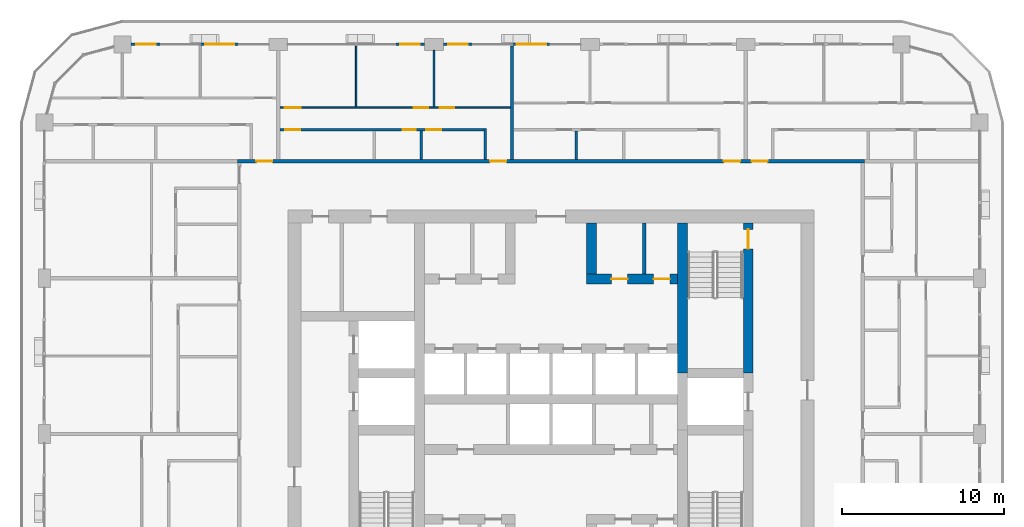
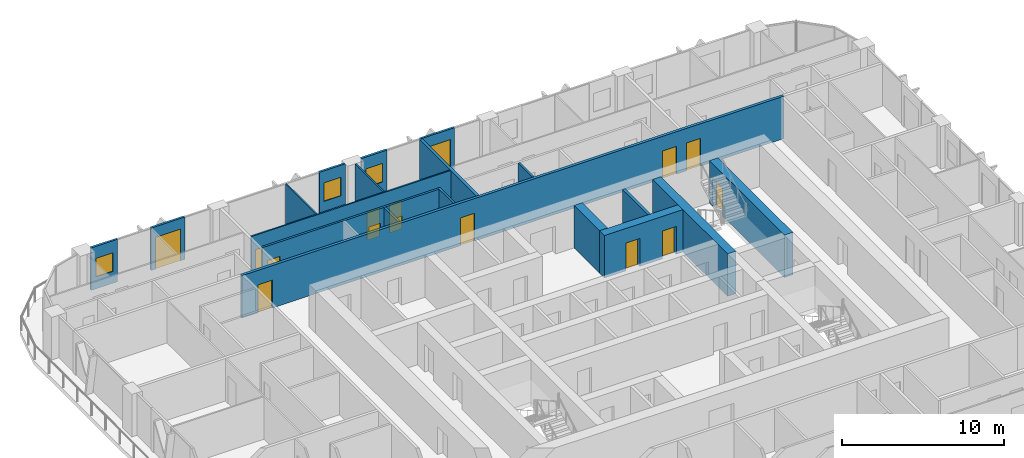
# One storey, part 14 of 22: 19 walls, 15 doors, 3 windows, 18 openings.
"""IFC4 building model written with IfcOpenShell, lengths in metres."""

import ifcopenshell
import ifcopenshell.guid

model = None  # the IFC model being written
_history = None  # IfcOwnerHistory: only IFC2X3 demands one
_inside = {}  # id of a spatial element -> (the spatial element, [elements in it])
_under = {}  # id of a project, library or spatial element -> (it, [spatial elements below it])
_declared = {}  # id of a project -> (the project, [libraries it declares])
_typed = {}  # id of a type object -> (the type object, [elements of that type])
_made_of = {}  # id of a material, layer set ... -> (it, [elements and type objects made of it])


def new_model(schema):
    """Start an empty IFC model of exactly this schema.

    Asked for "IFC4X3", IfcOpenShell would pick the latest addendum, in which some entities
    have other attributes; the version numbers below select the first issue.
    IFC2X3 requires an IfcOwnerHistory on every rooted entity: one is made here for all.
    """
    global model, _history
    if schema == "IFC4X3":
        model = ifcopenshell.file(schema_version=(4, 3, 0, 0))
    else:
        model = ifcopenshell.file(schema=schema)
    _inside.clear()
    _under.clear()
    _declared.clear()
    _typed.clear()
    _made_of.clear()
    _history = None
    if model.schema == "IFC2X3":
        org = make("IfcOrganization", Name="unknown")
        user = make(
            "IfcPersonAndOrganization",
            ThePerson=make("IfcPerson", FamilyName="unknown"),
            TheOrganization=org,
        )
        app = make(
            "IfcApplication",
            ApplicationDeveloper=org,
            Version="unknown",
            ApplicationFullName="unknown",
            ApplicationIdentifier="unknown",
        )
        _history = make(
            "IfcOwnerHistory",
            OwningUser=user,
            OwningApplication=app,
            ChangeAction="ADDED",
            CreationDate=0,
        )
    return model


def make(cls, **values):
    """One entity of the class cls with the attributes given. An attribute that is None is left unset."""
    return model.create_entity(
        cls, **{name: value for name, value in values.items() if value is not None}
    )


def rooted(cls, **values):
    """An entity with a GlobalId (a new one), such as an element, a storey or a relation."""
    return make(cls, GlobalId=ifcopenshell.guid.new(), OwnerHistory=_history, **values)


def si_unit(unit_type, name, prefix=None):
    """IfcSIUnit, for example si_unit("LENGTHUNIT", "METRE", prefix="MILLI")."""
    return make("IfcSIUnit", UnitType=unit_type, Prefix=prefix, Name=name)


def assignment(units):
    """IfcUnitAssignment: the units of a project."""
    return None if units is None else make("IfcUnitAssignment", Units=units)


def point(xyz):
    """IfcCartesianPoint."""
    return None if xyz is None else make("IfcCartesianPoint", Coordinates=xyz)


def direction(xyz):
    """IfcDirection."""
    return None if xyz is None else make("IfcDirection", DirectionRatios=xyz)


def frame(location, z_axis=None, x_axis=None):
    """IfcAxis2Placement3D, a coordinate frame: its origin and axes. An axis left out is left unset."""
    return make(
        "IfcAxis2Placement3D",
        Location=point(location),
        Axis=direction(z_axis),
        RefDirection=direction(x_axis),
    )


def frame_2d(location, x_axis=None):
    """IfcAxis2Placement2D, a coordinate frame in the plane: its origin and x axis."""
    return make(
        "IfcAxis2Placement2D", Location=point(location), RefDirection=direction(x_axis)
    )


def origin():
    """The frame at (0, 0, 0) with its axes left unset."""
    return frame((0.0, 0.0, 0.0))


def place(relative_to, where):
    """IfcLocalPlacement: puts the frame where relative to a parent placement (None: the world)."""
    return make(
        "IfcLocalPlacement", PlacementRelTo=relative_to, RelativePlacement=where
    )


def context(
    kind, dimensions, precision=None, world=None, true_north=None, identifier=None
):
    """IfcGeometricRepresentationContext, for example the 3D "Model" context."""
    return make(
        "IfcGeometricRepresentationContext",
        ContextIdentifier=identifier,
        ContextType=kind,
        CoordinateSpaceDimension=dimensions,
        Precision=precision,
        WorldCoordinateSystem=world,
        TrueNorth=true_north,
    )


def subcontext(parent, identifier, kind, view, scale=None):
    """IfcGeometricRepresentationSubContext, for example "Body" below "Model"."""
    return make(
        "IfcGeometricRepresentationSubContext",
        ContextIdentifier=identifier,
        ContextType=kind,
        ParentContext=parent,
        TargetScale=scale,
        TargetView=view,
    )


def project(units=None, contexts=None):
    """IfcProject with its units and contexts."""
    return rooted(
        "IfcProject",
        Name="project",
        RepresentationContexts=contexts,
        UnitsInContext=assignment(units),
    )


def spatial(cls, under=None, at=None, **own):
    """A site, building, storey or space (cls), placed at a placement, below another one or the project."""
    s = rooted(cls, ObjectPlacement=at, **own)
    if under is not None:
        _under.setdefault(under.id(), (under, []))[1].append(s)
    return s


def profile(cls, at=None, kind="AREA", **sizes):
    """A parametric profile (cls). Its sizes go by their IFC names, for example OverallWidth=200.0."""
    return make(cls, ProfileType=kind, Position=at, **sizes)


def rectangle(**sizes):
    """IfcRectangleProfileDef."""
    return profile("IfcRectangleProfileDef", **sizes)


def extrude(swept, where, along, depth):
    """IfcExtrudedAreaSolid: the profile swept, set in the frame where, extruded along a direction by depth."""
    return make(
        "IfcExtrudedAreaSolid",
        SweptArea=swept,
        Position=where,
        ExtrudedDirection=direction(along),
        Depth=depth,
    )


def shape(context_of_items, identifier, shape_type, items):
    """IfcShapeRepresentation: the items that make up one representation, for example the "Body"."""
    return make(
        "IfcShapeRepresentation",
        ContextOfItems=context_of_items,
        RepresentationIdentifier=identifier,
        RepresentationType=shape_type,
        Items=items,
    )


def material(Name=None, Category=None):
    """IfcMaterial."""
    return make("IfcMaterial", Name=Name, Category=Category)


def layer(
    of_material, thickness, ventilated=None, Name=None, Category=None, Priority=None
):
    """IfcMaterialLayer: one layer of a wall or slab, of a material (None: an air gap)."""
    return make(
        "IfcMaterialLayer",
        Material=of_material,
        LayerThickness=thickness,
        IsVentilated=ventilated,
        Name=Name,
        Category=Category,
        Priority=Priority,
    )


def layer_set(layers, Name=None):
    """IfcMaterialLayerSet."""
    return make("IfcMaterialLayerSet", MaterialLayers=layers, LayerSetName=Name)


def made_of(thing, what):
    """Note that an element or type object is made of a material, layer set ...; save() writes the relation."""
    if what is not None:
        _made_of.setdefault(what.id(), (what, []))[1].append(thing)
    return thing


def type_object(cls, material=None, **own):
    """A type object (cls), such as IfcWallType, which elements share."""
    return made_of(rooted(cls, **own), material)


def element(
    cls,
    number,
    at=None,
    inside=None,
    cuts=None,
    type_object=None,
    material=None,
    context=None,
    identifier="Body",
    shape_type=None,
    held_by="IfcProductDefinitionShape",
    body=None,
    shapes=None,
    **own,
):
    """One element of the class cls, such as IfcWall. Its Tag is "e" and its number.

    at: its placement. inside: the storey or other place that contains it. cuts: it is an
    opening in that element (IfcRelVoidsElement). A single representation is given by context,
    identifier, shape_type and body (its items); several are given by shapes. held_by: the class
    of the entity that holds the representations. save() writes the other relations.
    """
    e = rooted(cls, Tag="e%d" % number, ObjectPlacement=at, **own)
    if body is not None:
        shapes = [shape(context, identifier, shape_type, body)]
    if shapes is not None:
        e.Representation = make(held_by, Representations=shapes)
    if inside is not None:
        _inside.setdefault(inside.id(), (inside, []))[1].append(e)
    if cuts is not None:
        rooted(
            "IfcRelVoidsElement", RelatingBuildingElement=cuts, RelatedOpeningElement=e
        )
    if type_object is not None:
        _typed.setdefault(type_object.id(), (type_object, []))[1].append(e)
    return made_of(e, material)


def fill(opening, filler):
    """IfcRelFillsElement: the door or window that sits in an opening."""
    return rooted(
        "IfcRelFillsElement",
        RelatingOpeningElement=opening,
        RelatedBuildingElement=filler,
    )


def aggregate(whole, parts):
    """IfcRelAggregates: a whole, such as a stair, and the parts it consists of."""
    return rooted("IfcRelAggregates", RelatingObject=whole, RelatedObjects=parts)


def save(model, path):
    """Write the relations noted so far, then the file.

    IfcRelAggregates (storeys below a building ...), IfcRelContainedInSpatialStructure (elements
    in a storey), IfcRelDefinesByType, IfcRelAssociatesMaterial and IfcRelDeclares: one each for
    every whole, place, type object, material and project.
    """
    for whole, parts in _under.values():
        aggregate(whole, parts)
    for where, things in _inside.values():
        rooted(
            "IfcRelContainedInSpatialStructure",
            RelatedElements=things,
            RelatingStructure=where,
        )
    for kind, things in _typed.values():
        rooted("IfcRelDefinesByType", RelatedObjects=things, RelatingType=kind)
    for what, things in _made_of.values():
        rooted("IfcRelAssociatesMaterial", RelatedObjects=things, RelatingMaterial=what)
    for by, libraries in _declared.values():
        rooted("IfcRelDeclares", RelatingContext=by, RelatedDefinitions=libraries)
    model.write(path)


model = new_model("IFC4")

# Units and contexts
model_context = context("Model", 3, precision=1e-05, world=origin(), true_north=direction((0.0, 1.0)))
body_context = subcontext(model_context, "Body", "Model", "MODEL_VIEW")
ifc_project = project(units=[si_unit("LENGTHUNIT", "METRE"), si_unit("AREAUNIT", "SQUARE_METRE"), si_unit("VOLUMEUNIT", "CUBIC_METRE"), si_unit("PLANEANGLEUNIT", "RADIAN"), si_unit("MASSUNIT", "GRAM", prefix="KILO")], contexts=[model_context])

# Site, building, storey
site_placement = place(None, origin())
site = spatial("IfcSite", under=ifc_project, at=site_placement, CompositionType="ELEMENT")
building_placement = place(site_placement, origin())
building = spatial("IfcBuilding", under=site, at=building_placement, Name="Madar Terraces", CompositionType="ELEMENT")
storey_placement = place(building_placement, frame((0.0, 0.0, 149.0)))
storey = spatial("IfcBuildingStorey", under=building, at=storey_placement, Name="L38", CompositionType="ELEMENT", Elevation=149.0)

# Wall
ifc_material_1 = material(Name="Concrete C70/85", Category="concrete")
ifc_layer_1 = layer(ifc_material_1, 0.60009765625)
ifc_layer_set_1 = layer_set([ifc_layer_1], Name="Concrete C70/85 (CIW3 RC wall 600)")
wall_type_1 = type_object("IfcWallType", Name="CIW3 RC wall 600", PredefinedType="SHEAR", material=ifc_layer_set_1)
wall_1_placement = place(storey_placement, frame((39.300048828125, 27.75, 0.0), z_axis=(0.0, 0.0, 1.0), x_axis=(0.0, 1.0, 0.0)))
element("IfcWall", 1, at=wall_1_placement, inside=storey, type_object=wall_type_1, Name="CORE SHAFT WALL", PredefinedType="SHEAR", context=body_context, shape_type="SweptSolid", body=[
    extrude(rectangle(XDim=9.25, YDim=0.60009765625, at=frame_2d((4.625, 0.0))), origin(), (0.0, 0.0, 1.0), 3.199951171875),
])

# Wall, opening, door
wall_2_placement = place(storey_placement, frame((43.35009765625, 27.75, 0.0), z_axis=(0.0, 0.0, 1.0), x_axis=(0.0, 1.0, 0.0)))
wall_2 = element("IfcWall", 2, at=wall_2_placement, inside=storey, type_object=wall_type_1, Name="CORE SHAFT WALL", PredefinedType="SHEAR", context=body_context, shape_type="SweptSolid", body=[
    extrude(rectangle(XDim=9.25, YDim=0.60009765625, at=frame_2d((4.625, 0.0))), origin(), (0.0, 0.0, 1.0), 3.199951171875),
])
opening_1_placement = place(wall_2_placement, frame((7.64990234375, 0.0, 0.0)))
opening_1 = element("IfcOpeningElement", 3, at=opening_1_placement, cuts=wall_2, Name="Opening SD1", PredefinedType="OPENING", context=body_context, shape_type="SweptSolid", body=[
    extrude(rectangle(XDim=1.199951171875, YDim=2.10009765625, at=frame_2d((0.60009765625, 1.050048828125))), frame((0.0, 0.31005859375, 0.0), z_axis=(0.0, -1.0, 0.0), x_axis=(1.0, 0.0, 0.0)), (0.0, 0.0, 1.0), 0.6201171875),
])
ifc_material_2 = material(Name="Steel door leaf", Category="steel")
door_type_1 = type_object("IfcDoorType", Name="Stair door 1200 x 2100", OperationType="NOTDEFINED", PredefinedType="DOOR", material=ifc_material_2)
door_1_placement = place(opening_1_placement, origin())
door_1 = element("IfcDoor", 4, at=door_1_placement, inside=storey, type_object=door_type_1, Name="STAIR DOOR", OperationType="SINGLE_SWING_RIGHT", OverallHeight=2.10009765625, OverallWidth=1.199951171875, PredefinedType="DOOR", context=body_context, shape_type="SweptSolid", body=[
    extrude(rectangle(XDim=1.199951171875, YDim=2.10009765625, at=frame_2d((0.60009765625, 1.050048828125))), frame((0.0, 0.02490234375, 0.0), z_axis=(0.0, -1.0, 0.0), x_axis=(1.0, 0.0, 0.0)), (0.0, 0.0, 1.0), 0.050048828125),
])
fill(opening_1, door_1)

# Wall, openings, doors
wall_3_placement = place(storey_placement, frame((33.39990234375, 33.550048828125, 0.0), z_axis=(0.0, 0.0, 1.0), x_axis=(1.0, 0.0, 0.0)))
wall_3 = element("IfcWall", 5, at=wall_3_placement, inside=storey, type_object=wall_type_1, Name="CORE SHAFT WALL", PredefinedType="SHEAR", context=body_context, shape_type="SweptSolid", body=[
    extrude(rectangle(XDim=5.60009765625, YDim=0.60009765625, at=frame_2d((2.800048828125, 0.0))), origin(), (0.0, 0.0, 1.0), 3.199951171875),
])
opening_2_placement = place(wall_3_placement, frame((1.52490234375, 0.0, 0.0)))
opening_2 = element("IfcOpeningElement", 6, at=opening_2_placement, cuts=wall_3, Name="Opening KD2", PredefinedType="OPENING", context=body_context, shape_type="SweptSolid", body=[
    extrude(rectangle(XDim=1.0, YDim=2.10009765625, at=frame_2d((0.5, 1.050048828125))), frame((0.0, 0.31005859375, 0.0), z_axis=(0.0, -1.0, 0.0), x_axis=(1.0, 0.0, 0.0)), (0.0, 0.0, 1.0), 0.6201171875),
])
opening_3_placement = place(wall_3_placement, frame((4.125, 0.0, 0.0)))
opening_3 = element("IfcOpeningElement", 7, at=opening_3_placement, cuts=wall_3, Name="Opening KD2", PredefinedType="OPENING", context=body_context, shape_type="SweptSolid", body=[
    extrude(rectangle(XDim=1.0, YDim=2.10009765625, at=frame_2d((0.5, 1.050048828125))), frame((0.0, 0.31005859375, 0.0), z_axis=(0.0, -1.0, 0.0), x_axis=(1.0, 0.0, 0.0)), (0.0, 0.0, 1.0), 0.6201171875),
])
ifc_material_3 = material(Name="Steel door leaf", Category="steel")
door_type_2 = type_object("IfcDoorType", Name="Service room door 1000 x 2100", OperationType="NOTDEFINED", PredefinedType="DOOR", material=ifc_material_3)
door_2_placement = place(opening_2_placement, frame((1.0, 0.0, 0.0), z_axis=(0.0, 0.0, 1.0), x_axis=(-1.0, 0.0, 0.0)))
door_2 = element("IfcDoor", 8, at=door_2_placement, inside=storey, type_object=door_type_2, Name="SERVICE ROOM DOOR", OperationType="SINGLE_SWING_RIGHT", OverallHeight=2.10009765625, OverallWidth=1.0, PredefinedType="DOOR", context=body_context, shape_type="SweptSolid", body=[
    extrude(rectangle(XDim=1.0, YDim=2.10009765625, at=frame_2d((0.5, 1.050048828125))), frame((0.0, 0.02490234375, 0.0), z_axis=(0.0, -1.0, 0.0), x_axis=(1.0, 0.0, 0.0)), (0.0, 0.0, 1.0), 0.050048828125),
])
fill(opening_2, door_2)
door_3_placement = place(opening_3_placement, frame((1.0, 0.0, 0.0), z_axis=(0.0, 0.0, 1.0), x_axis=(-1.0, 0.0, 0.0)))
door_3 = element("IfcDoor", 9, at=door_3_placement, inside=storey, type_object=door_type_2, Name="SERVICE ROOM DOOR", OperationType="SINGLE_SWING_LEFT", OverallHeight=2.10009765625, OverallWidth=1.0, PredefinedType="DOOR", context=body_context, shape_type="SweptSolid", body=[
    extrude(rectangle(XDim=1.0, YDim=2.10009765625, at=frame_2d((0.5, 1.050048828125))), frame((0.0, 0.02490234375, 0.0), z_axis=(0.0, -1.0, 0.0), x_axis=(1.0, 0.0, 0.0)), (0.0, 0.0, 1.0), 0.050048828125),
])
fill(opening_3, door_3)

# Walls
wall_4_placement = place(storey_placement, frame((33.699951171875, 33.85009765625, 0.0), z_axis=(0.0, 0.0, 1.0), x_axis=(0.0, 1.0, 0.0)))
element("IfcWall", 10, at=wall_4_placement, inside=storey, type_object=wall_type_1, Name="CORE SHAFT WALL", PredefinedType="SHEAR", context=body_context, shape_type="SweptSolid", body=[
    extrude(rectangle(XDim=3.14990234375, YDim=0.60009765625, at=frame_2d((1.574951171875, 0.0))), origin(), (0.0, 0.0, 1.0), 3.199951171875),
])
ifc_material_4 = material(Name="Masonry blockwork", Category="masonry")
ifc_layer_2 = layer(ifc_material_4, 0.199951171875)
ifc_layer_set_2 = layer_set([ifc_layer_2], Name="Core partition 200 blockwork")
wall_type_2 = type_object("IfcWallType", Name="Core partition 200 blockwork", PredefinedType="PARTITIONING", material=ifc_layer_set_2)
wall_5_placement = place(storey_placement, frame((36.949951171875, 33.85009765625, 0.0), z_axis=(0.0, 0.0, 1.0), x_axis=(0.0, 1.0, 0.0)))
element("IfcWall", 11, at=wall_5_placement, inside=storey, type_object=wall_type_2, Name="SERVICE ROOM PARTITION", PredefinedType="PARTITIONING", context=body_context, shape_type="SweptSolid", body=[
    extrude(rectangle(XDim=3.14990234375, YDim=0.199951171875, at=frame_2d((1.574951171875, 0.0))), origin(), (0.0, 0.0, 1.0), 3.199951171875),
])

# Wall, opening, door
ifc_material_5 = material(Name="Aluminium composite panel, black, over insulated backing", Category="aluminium")
ifc_layer_3 = layer(ifc_material_5, 0.14990234375)
ifc_layer_set_3 = layer_set([ifc_layer_3], Name="Facade bay panel 150")
wall_type_3 = type_object("IfcWallType", Name="Facade bay panel 150", PredefinedType="SOLIDWALL", material=ifc_layer_set_3)
wall_6_placement = place(storey_placement, frame((31.199951171875, 48.0, 0.0), z_axis=(0.0, 0.0, 1.0), x_axis=(-1.0, 0.0, 0.0)))
wall_6 = element("IfcWall", 12, at=wall_6_placement, inside=storey, type_object=wall_type_3, Name="Facade bay panel", PredefinedType="SOLIDWALL", context=body_context, shape_type="SweptSolid", body=[
    extrude(rectangle(XDim=2.39990234375, YDim=0.14990234375, at=frame_2d((1.199951171875, 0.0))), origin(), (0.0, 0.0, 1.0), 3.199951171875),
])
opening_4_placement = place(wall_6_placement, frame((0.300048828125, 0.0, 0.0)))
opening_4 = element("IfcOpeningElement", 13, at=opening_4_placement, cuts=wall_6, Name="Opening ED1", PredefinedType="OPENING", context=body_context, shape_type="SweptSolid", body=[
    extrude(rectangle(XDim=1.800048828125, YDim=2.39990234375, at=frame_2d((0.89990234375, 1.199951171875))), frame((0.0, 0.0849609375, 0.0), z_axis=(0.0, -1.0, 0.0), x_axis=(1.0, 0.0, 0.0)), (0.0, 0.0, 1.0), 0.169921875),
])
ifc_material_6 = material(Name="Glass, clear, with black aluminium frame", Category="aluminium")
door_type_3 = type_object("IfcDoorType", Name="Balcony and terrace sliding door 1800 x 2400", OperationType="SLIDING_TO_LEFT", PredefinedType="DOOR", material=ifc_material_6)
door_4_placement = place(opening_4_placement, origin())
door_4 = element("IfcDoor", 14, at=door_4_placement, inside=storey, type_object=door_type_3, Name="Balcony door", OperationType="SLIDING_TO_LEFT", OverallHeight=2.39990234375, OverallWidth=1.800048828125, PredefinedType="DOOR", context=body_context, shape_type="SweptSolid", body=[
    extrude(rectangle(XDim=1.800048828125, YDim=2.39990234375, at=frame_2d((0.89990234375, 1.199951171875))), frame((0.0, 0.02490234375, 0.0), z_axis=(0.0, -1.0, 0.0), x_axis=(1.0, 0.0, 0.0)), (0.0, 0.0, 1.0), 0.050048828125),
])
fill(opening_4, door_4)

# Wall, opening, window
wall_7_placement = place(storey_placement, frame((26.39990234375, 48.0, 0.0), z_axis=(0.0, 0.0, 1.0), x_axis=(-1.0, 0.0, 0.0)))
wall_7 = element("IfcWall", 15, at=wall_7_placement, inside=storey, type_object=wall_type_3, Name="Facade bay panel", PredefinedType="SOLIDWALL", context=body_context, shape_type="SweptSolid", body=[
    extrude(rectangle(XDim=1.824951171875, YDim=0.14990234375, at=frame_2d((0.91259765625, 0.0))), origin(), (0.0, 0.0, 1.0), 3.199951171875),
])
opening_5_placement = place(wall_7_placement, frame((0.3125, 0.0, 0.89990234375)))
opening_5 = element("IfcOpeningElement", 16, at=opening_5_placement, cuts=wall_7, Name="Opening W1", PredefinedType="OPENING", context=body_context, shape_type="SweptSolid", body=[
    extrude(rectangle(XDim=1.199951171875, YDim=1.39990234375, at=frame_2d((0.60009765625, 0.699951171875))), frame((0.0, 0.0849609375, 0.0), z_axis=(0.0, -1.0, 0.0), x_axis=(1.0, 0.0, 0.0)), (0.0, 0.0, 1.0), 0.169921875),
])
ifc_material_7 = material(Name="Glass, clear, with black aluminium frame", Category="aluminium")
window_type = type_object("IfcWindowType", Name="Vent window 1200 x 1400", PartitioningType="SINGLE_PANEL", PredefinedType="WINDOW", material=ifc_material_7)
window_1_placement = place(opening_5_placement, origin())
window_1 = element("IfcWindow", 17, at=window_1_placement, inside=storey, type_object=window_type, Name="Operable vent window", OverallHeight=1.39990234375, OverallWidth=1.199951171875, PartitioningType="SINGLE_PANEL", PredefinedType="WINDOW", context=body_context, shape_type="SweptSolid", body=[
    extrude(rectangle(XDim=1.199951171875, YDim=1.39990234375, at=frame_2d((0.60009765625, 0.699951171875))), frame((0.0, 0.030029296875, 0.0), z_axis=(0.0, -1.0, 0.0), x_axis=(1.0, 0.0, 0.0)), (0.0, 0.0, 1.0), 0.06005859375),
])
fill(opening_5, window_1)

wall_8_placement = place(storey_placement, frame((23.425048828125, 48.0, 0.0), z_axis=(0.0, 0.0, 1.0), x_axis=(-1.0, 0.0, 0.0)))
wall_8 = element("IfcWall", 18, at=wall_8_placement, inside=storey, type_object=wall_type_3, Name="Facade bay panel", PredefinedType="SOLIDWALL", context=body_context, shape_type="SweptSolid", body=[
    extrude(rectangle(XDim=1.824951171875, YDim=0.14990234375, at=frame_2d((0.91259765625, 0.0))), origin(), (0.0, 0.0, 1.0), 3.199951171875),
])
opening_6_placement = place(wall_8_placement, frame((0.3125, 0.0, 0.89990234375)))
opening_6 = element("IfcOpeningElement", 19, at=opening_6_placement, cuts=wall_8, Name="Opening W1", PredefinedType="OPENING", context=body_context, shape_type="SweptSolid", body=[
    extrude(rectangle(XDim=1.199951171875, YDim=1.39990234375, at=frame_2d((0.60009765625, 0.699951171875))), frame((0.0, 0.0849609375, 0.0), z_axis=(0.0, -1.0, 0.0), x_axis=(1.0, 0.0, 0.0)), (0.0, 0.0, 1.0), 0.169921875),
])
window_2_placement = place(opening_6_placement, origin())
window_2 = element("IfcWindow", 20, at=window_2_placement, inside=storey, type_object=window_type, Name="Operable vent window", OverallHeight=1.39990234375, OverallWidth=1.199951171875, PartitioningType="SINGLE_PANEL", PredefinedType="WINDOW", context=body_context, shape_type="SweptSolid", body=[
    extrude(rectangle(XDim=1.199951171875, YDim=1.39990234375, at=frame_2d((0.60009765625, 0.699951171875))), frame((0.0, 0.030029296875, 0.0), z_axis=(0.0, -1.0, 0.0), x_axis=(1.0, 0.0, 0.0)), (0.0, 0.0, 1.0), 0.06005859375),
])
fill(opening_6, window_2)

# Wall, opening, door
wall_9_placement = place(storey_placement, frame((12.0, 48.0, 0.0), z_axis=(0.0, 0.0, 1.0), x_axis=(-1.0, 0.0, 0.0)))
wall_9 = element("IfcWall", 21, at=wall_9_placement, inside=storey, type_object=wall_type_3, Name="Facade bay panel", PredefinedType="SOLIDWALL", context=body_context, shape_type="SweptSolid", body=[
    extrude(rectangle(XDim=2.39990234375, YDim=0.14990234375, at=frame_2d((1.199951171875, 0.0))), origin(), (0.0, 0.0, 1.0), 3.199951171875),
])
opening_7_placement = place(wall_9_placement, frame((0.300048828125, 0.0, 0.0)))
opening_7 = element("IfcOpeningElement", 22, at=opening_7_placement, cuts=wall_9, Name="Opening ED1", PredefinedType="OPENING", context=body_context, shape_type="SweptSolid", body=[
    extrude(rectangle(XDim=1.800048828125, YDim=2.39990234375, at=frame_2d((0.89990234375, 1.199951171875))), frame((0.0, 0.0849609375, 0.0), z_axis=(0.0, -1.0, 0.0), x_axis=(1.0, 0.0, 0.0)), (0.0, 0.0, 1.0), 0.169921875),
])
door_5_placement = place(opening_7_placement, origin())
door_5 = element("IfcDoor", 23, at=door_5_placement, inside=storey, type_object=door_type_3, Name="Balcony door", OperationType="SLIDING_TO_RIGHT", OverallHeight=2.39990234375, OverallWidth=1.800048828125, PredefinedType="DOOR", context=body_context, shape_type="SweptSolid", body=[
    extrude(rectangle(XDim=1.800048828125, YDim=2.39990234375, at=frame_2d((0.89990234375, 1.199951171875))), frame((0.0, 0.02490234375, 0.0), z_axis=(0.0, -1.0, 0.0), x_axis=(1.0, 0.0, 0.0)), (0.0, 0.0, 1.0), 0.050048828125),
])
fill(opening_7, door_5)

# Wall, opening, window
wall_10_placement = place(storey_placement, frame((7.199951171875, 48.0, 0.0), z_axis=(0.0, 0.0, 1.0), x_axis=(-1.0, 0.0, 0.0)))
wall_10 = element("IfcWall", 24, at=wall_10_placement, inside=storey, type_object=wall_type_3, Name="Facade bay panel", PredefinedType="SOLIDWALL", context=body_context, shape_type="SweptSolid", body=[
    extrude(rectangle(XDim=1.875, YDim=0.14990234375, at=frame_2d((0.9375, 0.0))), origin(), (0.0, 0.0, 1.0), 3.199951171875),
])
opening_8_placement = place(wall_10_placement, frame((0.33740234375, 0.0, 0.89990234375)))
opening_8 = element("IfcOpeningElement", 25, at=opening_8_placement, cuts=wall_10, Name="Opening W1", PredefinedType="OPENING", context=body_context, shape_type="SweptSolid", body=[
    extrude(rectangle(XDim=1.199951171875, YDim=1.39990234375, at=frame_2d((0.60009765625, 0.699951171875))), frame((0.0, 0.0849609375, 0.0), z_axis=(0.0, -1.0, 0.0), x_axis=(1.0, 0.0, 0.0)), (0.0, 0.0, 1.0), 0.169921875),
])
window_3_placement = place(opening_8_placement, origin())
window_3 = element("IfcWindow", 26, at=window_3_placement, inside=storey, type_object=window_type, Name="Operable vent window", OverallHeight=1.39990234375, OverallWidth=1.199951171875, PartitioningType="SINGLE_PANEL", PredefinedType="WINDOW", context=body_context, shape_type="SweptSolid", body=[
    extrude(rectangle(XDim=1.199951171875, YDim=1.39990234375, at=frame_2d((0.60009765625, 0.699951171875))), frame((0.0, 0.030029296875, 0.0), z_axis=(0.0, -1.0, 0.0), x_axis=(1.0, 0.0, 0.0)), (0.0, 0.0, 1.0), 0.06005859375),
])
fill(opening_8, window_3)

# Walls
ifc_material_8 = material(Name="Gypsum board on steel studs", Category="steel")
ifc_layer_4 = layer(ifc_material_8, 0.10009765625)
ifc_layer_set_4 = layer_set([ifc_layer_4], Name="Flat partition 100")
wall_type_4 = type_object("IfcWallType", Name="Flat partition 100", PredefinedType="PARTITIONING", material=ifc_layer_set_4)
wall_11_placement = place(storey_placement, frame((24.0, 44.14990234375, 0.0), z_axis=(0.0, 0.0, 1.0), x_axis=(0.0, 1.0, 0.0)))
element("IfcWall", 27, at=wall_11_placement, inside=storey, type_object=wall_type_4, Name="Flat partition 100", PredefinedType="PARTITIONING", context=body_context, shape_type="SweptSolid", body=[
    extrude(rectangle(XDim=3.47509765625, YDim=0.10009765625, at=frame_2d((1.737548828125, 0.0))), origin(), (0.0, 0.0, 1.0), 3.199951171875),
])
wall_12_placement = place(storey_placement, frame((19.199951171875, 44.14990234375, 0.0), z_axis=(0.0, 0.0, 1.0), x_axis=(0.0, 1.0, 0.0)))
element("IfcWall", 28, at=wall_12_placement, inside=storey, type_object=wall_type_4, Name="Flat partition 100", PredefinedType="PARTITIONING", context=body_context, shape_type="SweptSolid", body=[
    extrude(rectangle(XDim=3.75, YDim=0.10009765625, at=frame_2d((1.875, 0.0))), origin(), (0.0, 0.0, 1.0), 3.199951171875),
])

# Wall, openings, doors
wall_13_placement = place(storey_placement, frame((14.5, 44.10009765625, 0.0), z_axis=(0.0, 0.0, 1.0), x_axis=(1.0, 0.0, 0.0)))
wall_13 = element("IfcWall", 29, at=wall_13_placement, inside=storey, type_object=wall_type_4, Name="Flat partition 100", PredefinedType="PARTITIONING", context=body_context, shape_type="SweptSolid", body=[
    extrude(rectangle(XDim=14.199951171875, YDim=0.10009765625, at=frame_2d((7.10009765625, 0.0))), origin(), (0.0, 0.0, 1.0), 3.199951171875),
])
opening_9_placement = place(wall_13_placement, frame((9.85009765625, 0.0, 0.0)))
opening_9 = element("IfcOpeningElement", 30, at=opening_9_placement, cuts=wall_13, Name="Opening D2", PredefinedType="OPENING", context=body_context, shape_type="SweptSolid", body=[
    extrude(rectangle(XDim=0.89990234375, YDim=2.10009765625, at=frame_2d((0.449951171875, 1.050048828125))), frame((0.0, 0.06005859375, 0.0), z_axis=(0.0, -1.0, 0.0), x_axis=(1.0, 0.0, 0.0)), (0.0, 0.0, 1.0), 0.1201171875),
])
opening_10_placement = place(wall_13_placement, frame((8.25, 0.0, 0.0)))
opening_10 = element("IfcOpeningElement", 31, at=opening_10_placement, cuts=wall_13, Name="Opening D2", PredefinedType="OPENING", context=body_context, shape_type="SweptSolid", body=[
    extrude(rectangle(XDim=0.89990234375, YDim=2.10009765625, at=frame_2d((0.449951171875, 1.050048828125))), frame((0.0, 0.06005859375, 0.0), z_axis=(0.0, -1.0, 0.0), x_axis=(1.0, 0.0, 0.0)), (0.0, 0.0, 1.0), 0.1201171875),
])
opening_11_placement = place(wall_13_placement, frame((0.300048828125, 0.0, 0.0)))
opening_11 = element("IfcOpeningElement", 32, at=opening_11_placement, cuts=wall_13, Name="Opening D3", PredefinedType="OPENING", context=body_context, shape_type="SweptSolid", body=[
    extrude(rectangle(XDim=1.0, YDim=2.10009765625, at=frame_2d((0.5, 1.050048828125))), frame((0.0, 0.06005859375, 0.0), z_axis=(0.0, -1.0, 0.0), x_axis=(1.0, 0.0, 0.0)), (0.0, 0.0, 1.0), 0.1201171875),
])
ifc_material_9 = material(Name="Timber door leaf", Category="wood")
door_type_4 = type_object("IfcDoorType", Name="Flat living room door 1000", OperationType="NOTDEFINED", PredefinedType="DOOR", material=ifc_material_9)
door_6_placement = place(opening_11_placement, origin())
door_6 = element("IfcDoor", 33, at=door_6_placement, inside=storey, type_object=door_type_4, Name="Flat living room door 1000", OperationType="SINGLE_SWING_LEFT", OverallHeight=2.10009765625, OverallWidth=1.0, PredefinedType="DOOR", context=body_context, shape_type="SweptSolid", body=[
    extrude(rectangle(XDim=1.0, YDim=2.10009765625, at=frame_2d((0.5, 1.050048828125))), frame((0.0, 0.02490234375, 0.0), z_axis=(0.0, -1.0, 0.0), x_axis=(1.0, 0.0, 0.0)), (0.0, 0.0, 1.0), 0.050048828125),
])
fill(opening_11, door_6)
ifc_material_10 = material(Name="Timber door leaf", Category="wood")
door_type_5 = type_object("IfcDoorType", Name="Flat room door 900", OperationType="NOTDEFINED", PredefinedType="DOOR", material=ifc_material_10)
door_7_placement = place(opening_9_placement, origin())
door_7 = element("IfcDoor", 34, at=door_7_placement, inside=storey, type_object=door_type_5, Name="Flat room door 900", OperationType="SINGLE_SWING_LEFT", OverallHeight=2.10009765625, OverallWidth=0.89990234375, PredefinedType="DOOR", context=body_context, shape_type="SweptSolid", body=[
    extrude(rectangle(XDim=0.89990234375, YDim=2.10009765625, at=frame_2d((0.449951171875, 1.050048828125))), frame((0.0, 0.02490234375, 0.0), z_axis=(0.0, -1.0, 0.0), x_axis=(1.0, 0.0, 0.0)), (0.0, 0.0, 1.0), 0.050048828125),
])
fill(opening_9, door_7)
door_8_placement = place(opening_10_placement, origin())
door_8 = element("IfcDoor", 35, at=door_8_placement, inside=storey, type_object=door_type_5, Name="Flat room door 900", OperationType="SINGLE_SWING_RIGHT", OverallHeight=2.10009765625, OverallWidth=0.89990234375, PredefinedType="DOOR", context=body_context, shape_type="SweptSolid", body=[
    extrude(rectangle(XDim=0.89990234375, YDim=2.10009765625, at=frame_2d((0.449951171875, 1.050048828125))), frame((0.0, 0.02490234375, 0.0), z_axis=(0.0, -1.0, 0.0), x_axis=(1.0, 0.0, 0.0)), (0.0, 0.0, 1.0), 0.050048828125),
])
fill(opening_10, door_8)

ifc_material_11 = material(Name="Lightweight blockwork", Category="masonry")
ifc_layer_5 = layer(ifc_material_11, 0.199951171875)
ifc_layer_set_5 = layer_set([ifc_layer_5], Name="Flat party and entrance wall 200")
wall_type_5 = type_object("IfcWallType", Name="Flat party and entrance wall 200", PredefinedType="PARTITIONING", material=ifc_layer_set_5)
wall_14_placement = place(storey_placement, frame((11.89990234375, 40.800048828125, 0.0), z_axis=(0.0, 0.0, 1.0), x_axis=(1.0, 0.0, 0.0)))
wall_14 = element("IfcWall", 36, at=wall_14_placement, inside=storey, type_object=wall_type_5, Name="Flat party and entrance wall 200", PredefinedType="PARTITIONING", context=body_context, shape_type="SweptSolid", body=[
    extrude(rectangle(XDim=38.60009765625, YDim=0.199951171875, at=frame_2d((19.300048828125, 0.0))), origin(), (0.0, 0.0, 1.0), 3.199951171875),
])
opening_12_placement = place(wall_14_placement, frame((31.64990234375, 0.0, 0.0)))
opening_12 = element("IfcOpeningElement", 37, at=opening_12_placement, cuts=wall_14, Name="Opening D1", PredefinedType="OPENING", context=body_context, shape_type="SweptSolid", body=[
    extrude(rectangle(XDim=1.0, YDim=2.10009765625, at=frame_2d((0.5, 1.050048828125))), frame((0.0, 0.10986328125, 0.0), z_axis=(0.0, -1.0, 0.0), x_axis=(1.0, 0.0, 0.0)), (0.0, 0.0, 1.0), 0.219970703125),
])
opening_13_placement = place(wall_14_placement, frame((29.949951171875, 0.0, 0.0)))
opening_13 = element("IfcOpeningElement", 38, at=opening_13_placement, cuts=wall_14, Name="Opening D1", PredefinedType="OPENING", context=body_context, shape_type="SweptSolid", body=[
    extrude(rectangle(XDim=1.0, YDim=2.10009765625, at=frame_2d((0.5, 1.050048828125))), frame((0.0, 0.10986328125, 0.0), z_axis=(0.0, -1.0, 0.0), x_axis=(1.0, 0.0, 0.0)), (0.0, 0.0, 1.0), 0.219970703125),
])
opening_14_placement = place(wall_14_placement, frame((15.550048828125, 0.0, 0.0)))
opening_14 = element("IfcOpeningElement", 39, at=opening_14_placement, cuts=wall_14, Name="Opening D1", PredefinedType="OPENING", context=body_context, shape_type="SweptSolid", body=[
    extrude(rectangle(XDim=1.0, YDim=2.10009765625, at=frame_2d((0.5, 1.050048828125))), frame((0.0, 0.10986328125, 0.0), z_axis=(0.0, -1.0, 0.0), x_axis=(1.0, 0.0, 0.0)), (0.0, 0.0, 1.0), 0.219970703125),
])
opening_15_placement = place(wall_14_placement, frame((1.14990234375, 0.0, 0.0)))
opening_15 = element("IfcOpeningElement", 40, at=opening_15_placement, cuts=wall_14, Name="Opening D1", PredefinedType="OPENING", context=body_context, shape_type="SweptSolid", body=[
    extrude(rectangle(XDim=1.0, YDim=2.10009765625, at=frame_2d((0.5, 1.050048828125))), frame((0.0, 0.10986328125, 0.0), z_axis=(0.0, -1.0, 0.0), x_axis=(1.0, 0.0, 0.0)), (0.0, 0.0, 1.0), 0.219970703125),
])
ifc_material_12 = material(Name="Timber fire door leaf", Category="wood")
door_type_6 = type_object("IfcDoorType", Name="Flat entrance door 1000 FD30S", OperationType="NOTDEFINED", PredefinedType="DOOR", material=ifc_material_12)
door_9_placement = place(opening_12_placement, origin())
door_9 = element("IfcDoor", 41, at=door_9_placement, inside=storey, type_object=door_type_6, Name="Flat entrance door 1000 FD30S", OperationType="SINGLE_SWING_LEFT", OverallHeight=2.10009765625, OverallWidth=1.0, PredefinedType="DOOR", context=body_context, shape_type="SweptSolid", body=[
    extrude(rectangle(XDim=1.0, YDim=2.10009765625, at=frame_2d((0.5, 1.050048828125))), frame((0.0, 0.02490234375, 0.0), z_axis=(0.0, -1.0, 0.0), x_axis=(1.0, 0.0, 0.0)), (0.0, 0.0, 1.0), 0.050048828125),
])
fill(opening_12, door_9)
door_10_placement = place(opening_13_placement, origin())
door_10 = element("IfcDoor", 42, at=door_10_placement, inside=storey, type_object=door_type_6, Name="Flat entrance door 1000 FD30S", OperationType="SINGLE_SWING_RIGHT", OverallHeight=2.10009765625, OverallWidth=1.0, PredefinedType="DOOR", context=body_context, shape_type="SweptSolid", body=[
    extrude(rectangle(XDim=1.0, YDim=2.10009765625, at=frame_2d((0.5, 1.050048828125))), frame((0.0, 0.02490234375, 0.0), z_axis=(0.0, -1.0, 0.0), x_axis=(1.0, 0.0, 0.0)), (0.0, 0.0, 1.0), 0.050048828125),
])
fill(opening_13, door_10)
door_11_placement = place(opening_14_placement, origin())
door_11 = element("IfcDoor", 43, at=door_11_placement, inside=storey, type_object=door_type_6, Name="Flat entrance door 1000 FD30S", OperationType="SINGLE_SWING_RIGHT", OverallHeight=2.10009765625, OverallWidth=1.0, PredefinedType="DOOR", context=body_context, shape_type="SweptSolid", body=[
    extrude(rectangle(XDim=1.0, YDim=2.10009765625, at=frame_2d((0.5, 1.050048828125))), frame((0.0, 0.02490234375, 0.0), z_axis=(0.0, -1.0, 0.0), x_axis=(1.0, 0.0, 0.0)), (0.0, 0.0, 1.0), 0.050048828125),
])
fill(opening_14, door_11)
door_12_placement = place(opening_15_placement, origin())
door_12 = element("IfcDoor", 44, at=door_12_placement, inside=storey, type_object=door_type_6, Name="Flat entrance door 1000 FD30S", OperationType="SINGLE_SWING_RIGHT", OverallHeight=2.10009765625, OverallWidth=1.0, PredefinedType="DOOR", context=body_context, shape_type="SweptSolid", body=[
    extrude(rectangle(XDim=1.0, YDim=2.10009765625, at=frame_2d((0.5, 1.050048828125))), frame((0.0, 0.02490234375, 0.0), z_axis=(0.0, -1.0, 0.0), x_axis=(1.0, 0.0, 0.0)), (0.0, 0.0, 1.0), 0.050048828125),
])
fill(opening_15, door_12)

# Walls
wall_15_placement = place(storey_placement, frame((28.800048828125, 47.89990234375, 0.0), z_axis=(0.0, 0.0, 1.0), x_axis=(0.0, -1.0, 0.0)))
element("IfcWall", 45, at=wall_15_placement, inside=storey, type_object=wall_type_5, Name="Flat party and entrance wall 200", PredefinedType="PARTITIONING", context=body_context, shape_type="SweptSolid", body=[
    extrude(rectangle(XDim=7.0, YDim=0.199951171875, at=frame_2d((3.5, 0.0))), origin(), (0.0, 0.0, 1.0), 3.199951171875),
])
ifc_material_13 = material(Name="Lightweight blockwork", Category="masonry")
ifc_layer_6 = layer(ifc_material_13, 0.14990234375)
ifc_layer_set_6 = layer_set([ifc_layer_6], Name="Flat wet-room partition 150")
wall_type_6 = type_object("IfcWallType", Name="Flat wet-room partition 150", PredefinedType="PARTITIONING", material=ifc_layer_set_6)
for number, where, z_axis, x_axis, name in (
    (46, (32.769287109375, 40.89990234375, 0.0), (0.0, 0.0, 1.0), (0.0, 1.0, 0.0), "Flat wet-room partition 150"),
    (47, (23.205810546875, 40.89990234375, 0.0), (0.0, 0.0, 1.0), (0.0, 1.0, 0.0), "Flat wet-room partition 150"),
):
    element("IfcWall", number, at=place(storey_placement, frame(where, z_axis=z_axis, x_axis=x_axis)), inside=storey, type_object=wall_type_6, Name=name, PredefinedType="PARTITIONING", context=body_context, shape_type="SweptSolid", body=[
        extrude(rectangle(XDim=1.775146484375, YDim=0.14990234375, at=frame_2d((0.8876953125, 0.0))), origin(), (0.0, 0.0, 1.0), 3.199951171875),
    ])
wall_16_placement = place(storey_placement, frame((27.14990234375, 40.89990234375, 0.0), z_axis=(0.0, 0.0, 1.0), x_axis=(0.0, 1.0, 0.0)))
element("IfcWall", 48, at=wall_16_placement, inside=storey, type_object=wall_type_6, Name="Flat wet-room partition 150", PredefinedType="PARTITIONING", context=body_context, shape_type="SweptSolid", body=[
    extrude(rectangle(XDim=1.925048828125, YDim=0.14990234375, at=frame_2d((0.96240234375, 0.0))), origin(), (0.0, 0.0, 1.0), 3.199951171875),
])

# Wall, openings, doors
wall_17_placement = place(storey_placement, frame((27.074951171875, 42.75, 0.0), z_axis=(0.0, 0.0, 1.0), x_axis=(-1.0, 0.0, 0.0)))
wall_17 = element("IfcWall", 49, at=wall_17_placement, inside=storey, type_object=wall_type_6, Name="Flat wet-room partition 150", PredefinedType="PARTITIONING", context=body_context, shape_type="SweptSolid", body=[
    extrude(rectangle(XDim=12.574951171875, YDim=0.14990234375, at=frame_2d((6.28759765625, 0.0))), origin(), (0.0, 0.0, 1.0), 3.199951171875),
])
opening_16_placement = place(wall_17_placement, frame((2.644287109375, 0.0, 0.0)))
opening_16 = element("IfcOpeningElement", 50, at=opening_16_placement, cuts=wall_17, Name="Opening D5", PredefinedType="OPENING", context=body_context, shape_type="SweptSolid", body=[
    extrude(rectangle(XDim=0.89990234375, YDim=2.10009765625, at=frame_2d((0.449951171875, 1.050048828125))), frame((0.0, 0.0849609375, 0.0), z_axis=(0.0, -1.0, 0.0), x_axis=(1.0, 0.0, 0.0)), (0.0, 0.0, 1.0), 0.169921875),
])
opening_17_placement = place(wall_17_placement, frame((4.194091796875, 0.0, 0.0)))
opening_17 = element("IfcOpeningElement", 51, at=opening_17_placement, cuts=wall_17, Name="Opening D4", PredefinedType="OPENING", context=body_context, shape_type="SweptSolid", body=[
    extrude(rectangle(XDim=0.800048828125, YDim=2.10009765625, at=frame_2d((0.39990234375, 1.050048828125))), frame((0.0, 0.0849609375, 0.0), z_axis=(0.0, -1.0, 0.0), x_axis=(1.0, 0.0, 0.0)), (0.0, 0.0, 1.0), 0.169921875),
])
opening_18_placement = place(wall_17_placement, frame((11.324951171875, 0.0, 0.0)))
opening_18 = element("IfcOpeningElement", 52, at=opening_18_placement, cuts=wall_17, Name="Opening D2", PredefinedType="OPENING", context=body_context, shape_type="SweptSolid", body=[
    extrude(rectangle(XDim=0.89990234375, YDim=2.10009765625, at=frame_2d((0.449951171875, 1.050048828125))), frame((0.0, 0.0849609375, 0.0), z_axis=(0.0, -1.0, 0.0), x_axis=(1.0, 0.0, 0.0)), (0.0, 0.0, 1.0), 0.169921875),
])
ifc_material_14 = material(Name="Timber door leaf", Category="wood")
door_type_7 = type_object("IfcDoorType", Name="Flat accessible bathroom door 900", OperationType="NOTDEFINED", PredefinedType="DOOR", material=ifc_material_14)
door_13_placement = place(opening_16_placement, origin())
door_13 = element("IfcDoor", 53, at=door_13_placement, inside=storey, type_object=door_type_7, Name="Flat accessible bathroom door 900", OperationType="SINGLE_SWING_RIGHT", OverallHeight=2.10009765625, OverallWidth=0.89990234375, PredefinedType="DOOR", context=body_context, shape_type="SweptSolid", body=[
    extrude(rectangle(XDim=0.89990234375, YDim=2.10009765625, at=frame_2d((0.449951171875, 1.050048828125))), frame((0.0, 0.02490234375, 0.0), z_axis=(0.0, -1.0, 0.0), x_axis=(1.0, 0.0, 0.0)), (0.0, 0.0, 1.0), 0.050048828125),
])
fill(opening_16, door_13)
ifc_material_15 = material(Name="Timber door leaf", Category="wood")
door_type_8 = type_object("IfcDoorType", Name="Flat bathroom door 800", OperationType="NOTDEFINED", PredefinedType="DOOR", material=ifc_material_15)
door_14_placement = place(opening_17_placement, origin())
door_14 = element("IfcDoor", 54, at=door_14_placement, inside=storey, type_object=door_type_8, Name="Flat bathroom door 800", OperationType="SINGLE_SWING_LEFT", OverallHeight=2.10009765625, OverallWidth=0.800048828125, PredefinedType="DOOR", context=body_context, shape_type="SweptSolid", body=[
    extrude(rectangle(XDim=0.800048828125, YDim=2.10009765625, at=frame_2d((0.39990234375, 1.050048828125))), frame((0.0, 0.02490234375, 0.0), z_axis=(0.0, -1.0, 0.0), x_axis=(1.0, 0.0, 0.0)), (0.0, 0.0, 1.0), 0.050048828125),
])
fill(opening_17, door_14)
door_15_placement = place(opening_18_placement, origin())
door_15 = element("IfcDoor", 55, at=door_15_placement, inside=storey, type_object=door_type_5, Name="Flat room door 900", OperationType="SINGLE_SWING_RIGHT", OverallHeight=2.10009765625, OverallWidth=0.89990234375, PredefinedType="DOOR", context=body_context, shape_type="SweptSolid", body=[
    extrude(rectangle(XDim=0.89990234375, YDim=2.10009765625, at=frame_2d((0.449951171875, 1.050048828125))), frame((0.0, 0.02490234375, 0.0), z_axis=(0.0, -1.0, 0.0), x_axis=(1.0, 0.0, 0.0)), (0.0, 0.0, 1.0), 0.050048828125),
])
fill(opening_18, door_15)

save(model, "model.ifc")
